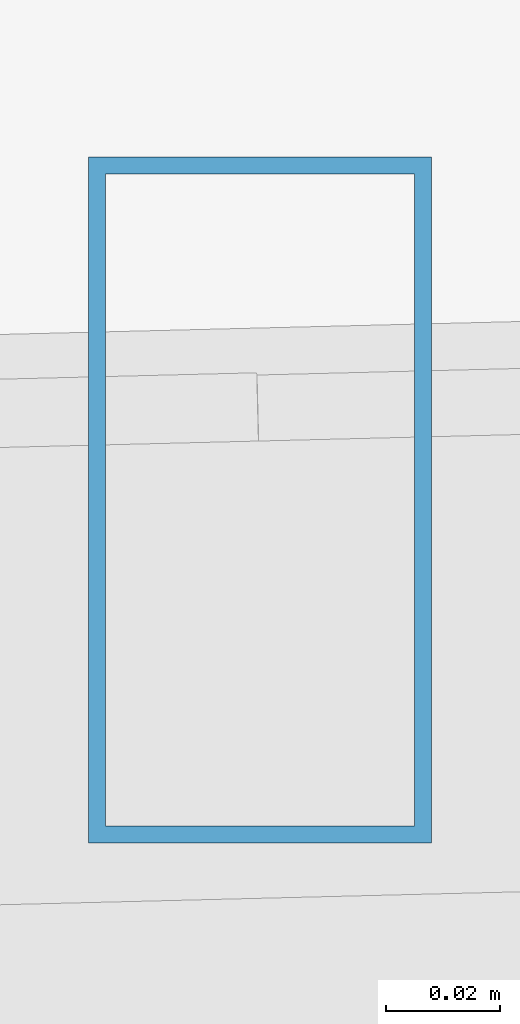
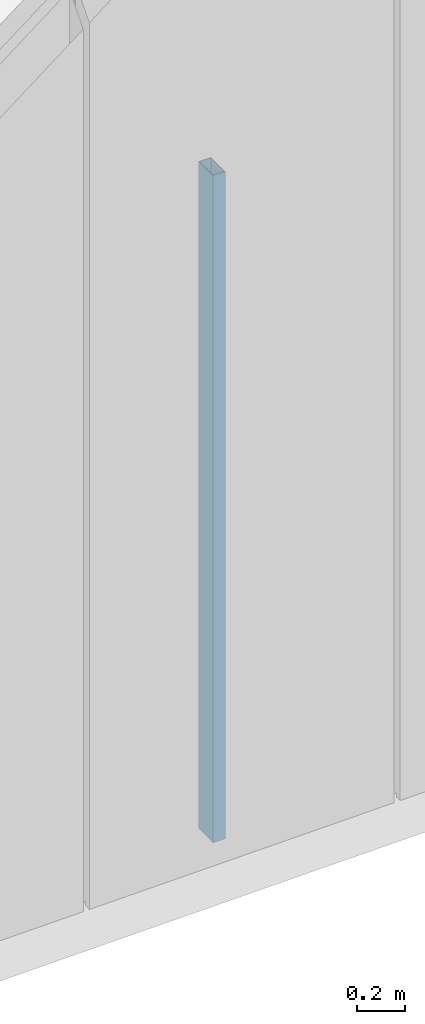
# One storey, part 5 of 50: 1 member, 1 element without a shape of its own.
"""IFC4 building model written with IfcOpenShell, lengths in metres."""

from ifc_helpers import new_model, si_unit, direction, frame, origin, origin_2d, place, context, subcontext, project, spatial, hollow_rectangle, extrude, source, transform, mapped, material, material_profile, profile_set, type_object, type_shapes, element, aggregate, save


model = new_model("IFC4")

# Units and contexts
model_context = context("Model", 3, precision=1e-05, world=origin(), true_north=direction((0.0, 1.0)))
body_context = subcontext(model_context, "Body", "Model", "MODEL_VIEW")
ifc_project = project(units=[si_unit("LENGTHUNIT", "METRE"), si_unit("AREAUNIT", "SQUARE_METRE"), si_unit("VOLUMEUNIT", "CUBIC_METRE"), si_unit("PLANEANGLEUNIT", "RADIAN"), si_unit("MASSUNIT", "GRAM", prefix="KILO")], contexts=[model_context])

# Site, building, storey
site_placement = place(None, origin())
site = spatial("IfcSite", under=ifc_project, at=site_placement, CompositionType="ELEMENT")
building_placement = place(site_placement, origin())
building = spatial("IfcBuilding", under=site, at=building_placement, Name="Caelisora Broadcast Tower", CompositionType="ELEMENT")
storey_placement = place(building_placement, frame((0.0, 0.0, 303.39990234375)))
storey = spatial("IfcBuildingStorey", under=building, at=storey_placement, Name="L80", CompositionType="ELEMENT", Elevation=303.39990234375)

# Curtain wall, member
ifc_material_1 = material(Name="Unitised Aluminium Insulated Shadow-Box Spandrel Curtain Wall", Category="aluminium")
curtain_wall_type = type_object("IfcCurtainWallType", Name="CW-SP3", PredefinedType="NOTDEFINED", material=ifc_material_1)
curtain_wall_placement = place(storey_placement, origin())
curtain_wall = element("IfcCurtainWall", 1, at=curtain_wall_placement, inside=storey, type_object=curtain_wall_type, Name="L80 curtain wall CW-SP3", PredefinedType="NOTDEFINED")
ifc_material_2 = material(Name="Aluminium 6063-T6 Anodised Terracotta Bronze", Category="aluminium")
ifc_material_profile = material_profile(ifc_material_2, hollow_rectangle(XDim=0.06005859375, YDim=0.1201171875, WallThickness=0.0029296875, at=origin_2d()), Name="Aluminium 6063-T6 Anodised Terracotta Bronze")
ifc_profile_set = profile_set([ifc_material_profile], Name="Aluminium 6063-T6 Anodised Terracotta Bronze")
member_type = type_object("IfcMemberType", Name="CWM-04", PredefinedType="MULLION", material=ifc_profile_set)
shared_shape = source(origin(), body_context, "Body", "SweptSolid", [
    extrude(hollow_rectangle(XDim=0.06005859375, YDim=0.1201171875, WallThickness=0.0029296875, at=origin_2d()), origin(), (0.0, 0.0, 1.0), 3.400146484375),
])
type_shapes(member_type, [shared_shape])
member_placement = place(storey_placement, frame((25.327880859375, 8.803955078125, 0.0), z_axis=(0.0, 0.0, 1.0), x_axis=(1.0, 0.0, 0.0)))
member = element("IfcMember", 2, at=member_placement, type_object=member_type, Name="L80-CW-B07 mullion #1", PredefinedType="MULLION", context=body_context, shape_type="MappedRepresentation", body=[
    mapped(shared_shape, transform((0.0, 0.0, 0.0), scale=1.0)),
])
aggregate(curtain_wall, [member])

save(model, "model.ifc")
